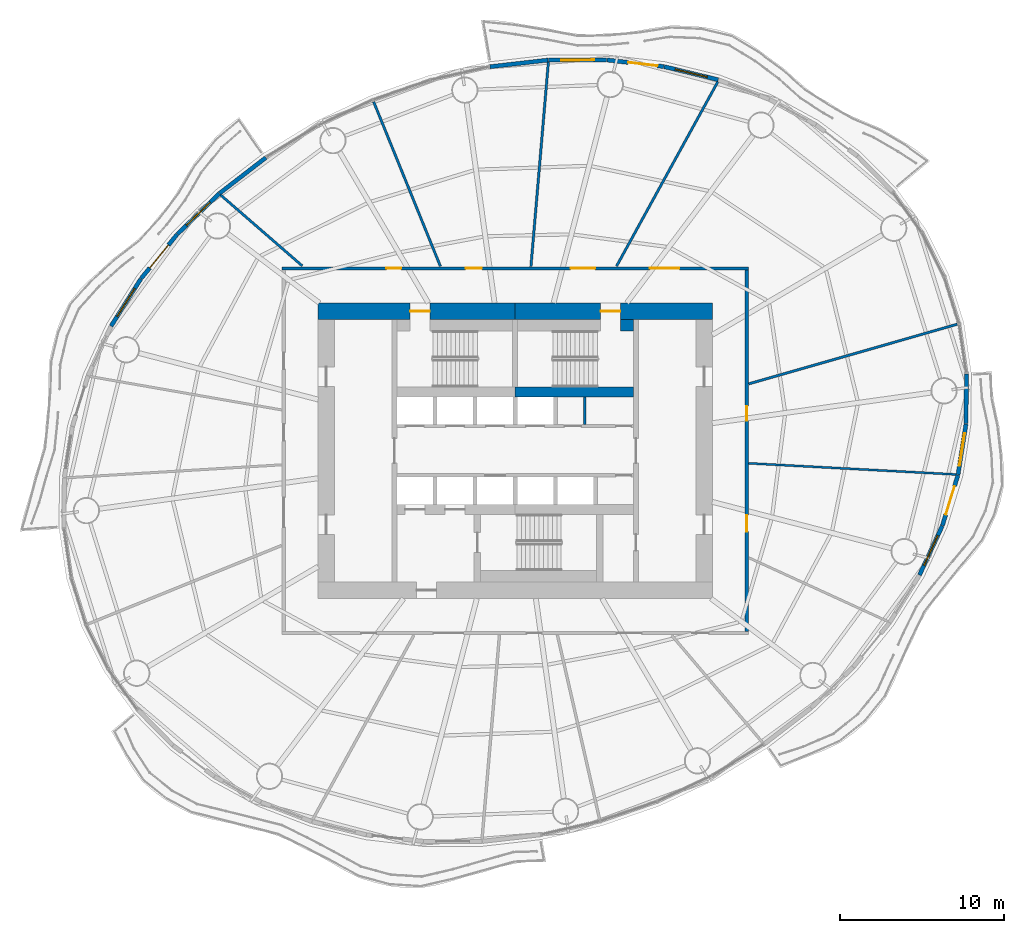
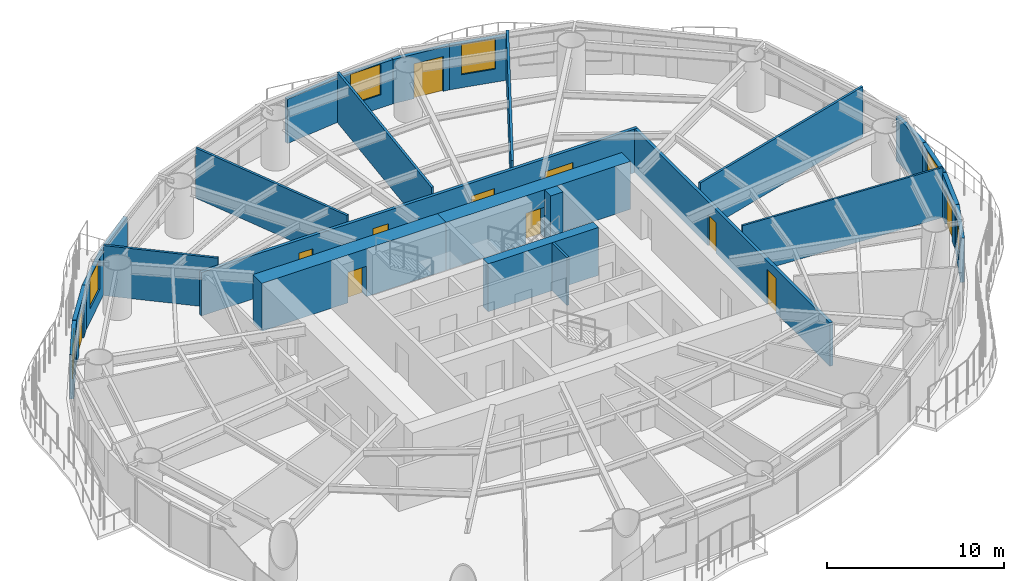
# One storey, part 9 of 15: 25 walls, 11 doors, 6 windows, 17 openings.
"""IFC4 building model written with IfcOpenShell, lengths in metres."""

from ifc_helpers import new_model, si_unit, direction, frame, frame_2d, origin, place, context, subcontext, project, spatial, rectangle, extrude, material, layer, layer_set, type_object, element, fill, save


model = new_model("IFC4")

# Units and contexts
model_context = context("Model", 3, precision=1e-05, world=origin(), true_north=direction((0.0, 1.0)))
body_context = subcontext(model_context, "Body", "Model", "MODEL_VIEW")
ifc_project = project(units=[si_unit("LENGTHUNIT", "METRE"), si_unit("AREAUNIT", "SQUARE_METRE"), si_unit("VOLUMEUNIT", "CUBIC_METRE"), si_unit("PLANEANGLEUNIT", "RADIAN"), si_unit("MASSUNIT", "GRAM", prefix="KILO")], contexts=[model_context])

# Site, building, storey
site_placement = place(None, origin())
site = spatial("IfcSite", under=ifc_project, at=site_placement, CompositionType="ELEMENT")
building_placement = place(site_placement, origin())
building = spatial("IfcBuilding", under=site, at=building_placement, Name="Vermilion Reach Broadcast Tower", CompositionType="ELEMENT")
storey_placement = place(building_placement, frame((0.0, 0.0, 121.0)))
storey = spatial("IfcBuildingStorey", under=building, at=storey_placement, Name="L28", CompositionType="ELEMENT", Elevation=121.0)

# Wall
ifc_material_1 = material(Name="Concrete C70", Category="concrete")
ifc_layer_1 = layer(ifc_material_1, 0.60009765625)
ifc_layer_set_1 = layer_set([ifc_layer_1], Name="Core inner wall 600 mm Concrete C70")
wall_type_1 = type_object("IfcWallType", Name="Core inner wall 600 mm Concrete C70", PredefinedType="SHEAR", material=ifc_layer_set_1)
wall_1_placement = place(storey_placement, frame((-6.0, 3.580078125, 0.0), z_axis=(0.0, 0.0, 1.0), x_axis=(1.0, 0.0, 0.0)))
element("IfcWall", 1, at=wall_1_placement, inside=storey, type_object=wall_type_1, Name="L28 core wall winE", PredefinedType="SHEAR", context=body_context, shape_type="SweptSolid", body=[
    extrude(rectangle(XDim=7.199951171875, YDim=0.60009765625, at=frame_2d((3.60009765625, 0.0))), origin(), (0.0, 0.0, 1.0), 3.300048828125),
])

# Wall, opening, door
ifc_material_2 = material(Name="Concrete C70", Category="concrete")
ifc_layer_2 = layer(ifc_material_2, 1.0)
ifc_layer_set_2 = layer_set([ifc_layer_2], Name="Core outer wall 1000 mm Concrete C70")
wall_type_2 = type_object("IfcWallType", Name="Core outer wall 1000 mm Concrete C70", PredefinedType="SHEAR", material=ifc_layer_set_2)
wall_2_placement = place(storey_placement, frame((6.0, 8.5, 0.0), z_axis=(0.0, 0.0, 1.0), x_axis=(-1.0, 0.0, 0.0)))
wall_2 = element("IfcWall", 2, at=wall_2_placement, inside=storey, type_object=wall_type_2, Name="L28 core wall onE", PredefinedType="SHEAR", context=body_context, shape_type="SweptSolid", body=[
    extrude(rectangle(XDim=12.0, YDim=1.0, at=frame_2d((6.0, 0.0))), origin(), (0.0, 0.0, 1.0), 3.300048828125),
])
opening_1_placement = place(wall_2_placement, frame((5.60009765625, 0.0, 0.0)))
opening_1 = element("IfcOpeningElement", 3, at=opening_1_placement, cuts=wall_2, Name="Opening D01", PredefinedType="OPENING", context=body_context, shape_type="SweptSolid", body=[
    extrude(rectangle(XDim=1.199951171875, YDim=2.10009765625, at=frame_2d((0.60009765625, 1.050048828125))), frame((0.0, 0.510009765625, 0.0), z_axis=(0.0, -1.0, 0.0), x_axis=(1.0, 0.0, 0.0)), (0.0, 0.0, 1.0), 1.02001953125),
])
ifc_material_3 = material(Name="Painted steel fire door", Category="steel")
door_type_1 = type_object("IfcDoorType", Name="Stair door 1200 x 2100", OperationType="DOUBLE_DOOR_SINGLE_SWING", PredefinedType="NOTDEFINED", material=ifc_material_3)
door_1_placement = place(opening_1_placement, origin())
door_1 = element("IfcDoor", 4, at=door_1_placement, inside=storey, type_object=door_type_1, Name="L28 stair door ST2", OperationType="DOUBLE_DOOR_SINGLE_SWING", OverallHeight=2.10009765625, OverallWidth=1.199951171875, PredefinedType="NOTDEFINED", context=body_context, shape_type="SweptSolid", body=[
    extrude(rectangle(XDim=1.199951171875, YDim=2.10009765625, at=frame_2d((0.60009765625, 1.050048828125))), frame((0.0, 0.02490234375, 0.0), z_axis=(0.0, -1.0, 0.0), x_axis=(1.0, 0.0, 0.0)), (0.0, 0.0, 1.0), 0.050048828125),
])
fill(opening_1, door_1)

wall_3_placement = place(storey_placement, frame((-6.0, 8.5, 0.0), z_axis=(0.0, 0.0, 1.0), x_axis=(-1.0, 0.0, 0.0)))
wall_3 = element("IfcWall", 5, at=wall_3_placement, inside=storey, type_object=wall_type_2, Name="L28 core wall onW", PredefinedType="SHEAR", context=body_context, shape_type="SweptSolid", body=[
    extrude(rectangle(XDim=12.0, YDim=1.0, at=frame_2d((6.0, 0.0))), origin(), (0.0, 0.0, 1.0), 3.300048828125),
])
opening_2_placement = place(wall_3_placement, frame((5.199951171875, 0.0, 0.0)))
opening_2 = element("IfcOpeningElement", 6, at=opening_2_placement, cuts=wall_3, Name="Opening D01", PredefinedType="OPENING", context=body_context, shape_type="SweptSolid", body=[
    extrude(rectangle(XDim=1.199951171875, YDim=2.10009765625, at=frame_2d((0.60009765625, 1.050048828125))), frame((0.0, 0.510009765625, 0.0), z_axis=(0.0, -1.0, 0.0), x_axis=(1.0, 0.0, 0.0)), (0.0, 0.0, 1.0), 1.02001953125),
])
door_2_placement = place(opening_2_placement, origin())
door_2 = element("IfcDoor", 7, at=door_2_placement, inside=storey, type_object=door_type_1, Name="L28 stair door ST1", OperationType="DOUBLE_DOOR_SINGLE_SWING", OverallHeight=2.10009765625, OverallWidth=1.199951171875, PredefinedType="NOTDEFINED", context=body_context, shape_type="SweptSolid", body=[
    extrude(rectangle(XDim=1.199951171875, YDim=2.10009765625, at=frame_2d((0.60009765625, 1.050048828125))), frame((0.0, 0.02490234375, 0.0), z_axis=(0.0, -1.0, 0.0), x_axis=(1.0, 0.0, 0.0)), (0.0, 0.0, 1.0), 0.050048828125),
])
fill(opening_2, door_2)

# Walls
ifc_material_4 = material(Name="Masonry block", Category="masonry")
ifc_layer_3 = layer(ifc_material_4, 0.14990234375)
ifc_layer_set_3 = layer_set([ifc_layer_3], Name="Core partition wall 150 mm Masonry block")
wall_type_3 = type_object("IfcWallType", Name="Core partition wall 150 mm Masonry block", PredefinedType="PARTITIONING", material=ifc_layer_set_3)
wall_4_placement = place(storey_placement, frame((-1.765380859375, 1.60009765625, 0.0), z_axis=(0.0, 0.0, 1.0), x_axis=(0.0, 1.0, 0.0)))
element("IfcWall", 8, at=wall_4_placement, inside=storey, type_object=wall_type_3, Name="L28 core wall prN4235", PredefinedType="PARTITIONING", context=body_context, shape_type="SweptSolid", body=[
    extrude(rectangle(XDim=1.679931640625, YDim=0.14990234375, at=frame_2d((0.83984375, 0.0))), origin(), (0.0, 0.0, 1.0), 3.300048828125),
])
ifc_material_5 = material(Name="Concrete C70", Category="concrete")
ifc_layer_4 = layer(ifc_material_5, 0.699951171875)
ifc_layer_set_4 = layer_set([ifc_layer_4], Name="Core stair wall 700 mm Concrete C70")
wall_type_4 = type_object("IfcWallType", Name="Core stair wall 700 mm Concrete C70", PredefinedType="SHEAR", material=ifc_layer_set_4)
wall_5_placement = place(storey_placement, frame((0.39990234375, 7.64990234375, 0.0), z_axis=(0.0, 0.0, 1.0), x_axis=(1.0, 0.0, 0.0)))
element("IfcWall", 9, at=wall_5_placement, inside=storey, type_object=wall_type_4, Name="L28 core wall l2b", PredefinedType="SHEAR", context=body_context, shape_type="SweptSolid", body=[
    extrude(rectangle(XDim=0.800048828125, YDim=0.699951171875, at=frame_2d((0.39990234375, 0.0))), origin(), (0.0, 0.0, 1.0), 3.300048828125),
])
ifc_material_6 = material(Name="Fire-rated plasterboard on steel stud", Category="steel")
ifc_layer_5 = layer(ifc_material_6, 0.125)
ifc_layer_set_5 = layer_set([ifc_layer_5], Name="Partition 125 fire-rated stud")
wall_type_5 = type_object("IfcWallType", Name="Partition 125 fire-rated stud", PredefinedType="PARTITIONING", material=ifc_layer_set_5)
wall_6_placement = place(storey_placement, frame((20.836181640625, -1.446044921875, 0.0), z_axis=(0.0, 0.0, 1.0), x_axis=(-0.998551591067, 0.053802601961, 0.0)))
element("IfcWall", 10, at=wall_6_placement, inside=storey, type_object=wall_type_5, Name="Partition 28.13", PredefinedType="PARTITIONING", context=body_context, shape_type="SweptSolid", body=[
    extrude(rectangle(XDim=12.651123046875, YDim=0.125, at=frame_2d((6.32568359375, 0.0))), origin(), (0.0, 0.0, 1.0), 3.449951171875),
])
ifc_material_7 = material(Name="Lightweight concrete block, plastered", Category="concrete")
ifc_layer_6 = layer(ifc_material_7, 0.14990234375)
ifc_layer_set_6 = layer_set([ifc_layer_6], Name="Partition 150 lightweight block")
wall_type_6 = type_object("IfcWallType", Name="Partition 150 lightweight block", PredefinedType="PARTITIONING", material=ifc_layer_set_6)
wall_7_placement = place(storey_placement, frame((6.3359375, 22.463134765625, 0.0), z_axis=(0.0, 0.0, 1.0), x_axis=(-0.481358172348, -0.876523992777, 0.0)))
element("IfcWall", 11, at=wall_7_placement, inside=storey, type_object=wall_type_6, Name="Partition 28.01", PredefinedType="PARTITIONING", context=body_context, shape_type="SweptSolid", body=[
    extrude(rectangle(XDim=12.80859375, YDim=0.14990234375, at=frame_2d((6.404296875, 0.0))), origin(), (0.0, 0.0, 1.0), 3.449951171875),
])
wall_8_placement = place(storey_placement, frame((-3.97998046875, 23.659912109375, 0.0), z_axis=(0.0, 0.0, 1.0), x_axis=(-0.085065958211, -0.996375322232, 0.0)))
element("IfcWall", 12, at=wall_8_placement, inside=storey, type_object=wall_type_6, Name="Partition 28.02", PredefinedType="PARTITIONING", context=body_context, shape_type="SweptSolid", body=[
    extrude(rectangle(XDim=12.4990234375, YDim=0.14990234375, at=frame_2d((6.24951171875, 0.0))), origin(), (0.0, 0.0, 1.0), 3.449951171875),
])
wall_9_placement = place(storey_placement, frame((-14.61572265625, 21.239013671875, 0.0), z_axis=(0.0, 0.0, 1.0), x_axis=(0.375913878844, -0.926654604312, 0.0)))
element("IfcWall", 13, at=wall_9_placement, inside=storey, type_object=wall_type_6, Name="Partition 28.03", PredefinedType="PARTITIONING", context=body_context, shape_type="SweptSolid", body=[
    extrude(rectangle(XDim=10.802978515625, YDim=0.14990234375, at=frame_2d((5.4013671875, 0.0))), origin(), (0.0, 0.0, 1.0), 3.449951171875),
])
wall_10_placement = place(storey_placement, frame((-23.93212890625, 15.56640625, 0.0), z_axis=(0.0, 0.0, 1.0), x_axis=(0.755165660984, -0.655533999477, 0.0)))
element("IfcWall", 14, at=wall_10_placement, inside=storey, type_object=wall_type_6, Name="Partition 28.04", PredefinedType="PARTITIONING", context=body_context, shape_type="SweptSolid", body=[
    extrude(rectangle(XDim=6.574462890625, YDim=0.14990234375, at=frame_2d((3.287109375, 0.0))), origin(), (0.0, 0.0, 1.0), 3.449951171875),
])
wall_11_placement = place(storey_placement, frame((20.90478515625, 7.698486328125, 0.0), z_axis=(0.0, 0.0, 1.0), x_axis=(-0.961416334636, -0.275097494528, 0.0)))
element("IfcWall", 15, at=wall_11_placement, inside=storey, type_object=wall_type_6, Name="Partition 28.14", PredefinedType="PARTITIONING", context=body_context, shape_type="SweptSolid", body=[
    extrude(rectangle(XDim=13.193115234375, YDim=0.14990234375, at=frame_2d((6.5966796875, 0.0))), origin(), (0.0, 0.0, 1.0), 3.449951171875),
])

# Wall, opening, window
ifc_material_8 = material(Name="Terracotta rainscreen cladding", Category="masonry")
ifc_layer_7 = layer(ifc_material_8, 0.25)
ifc_layer_set_7 = layer_set([ifc_layer_7], Name="Terracotta rainscreen wall 250")
wall_type_7 = type_object("IfcWallType", Name="Terracotta rainscreen wall 250", PredefinedType="SOLIDWALL", material=ifc_layer_set_7)
wall_12_placement = place(storey_placement, frame((6.361328125, 22.58544921875, 0.0), z_axis=(0.0, 0.0, 1.0), x_axis=(-0.971871596081, 0.235511360088, 0.0)))
wall_12 = element("IfcWall", 16, at=wall_12_placement, inside=storey, type_object=wall_type_7, Name="External wall L28 06", PredefinedType="SOLIDWALL", context=body_context, shape_type="SweptSolid", body=[
    extrude(rectangle(XDim=3.388671875, YDim=0.25, at=frame_2d((1.6943359375, 0.0))), origin(), (0.0, 0.0, 1.0), 3.050048828125),
])
opening_3_placement = place(wall_12_placement, frame((0.694580078125, 0.0, 0.89990234375)))
opening_3 = element("IfcOpeningElement", 17, at=opening_3_placement, cuts=wall_12, Name="Opening W03", PredefinedType="OPENING", context=body_context, shape_type="SweptSolid", body=[
    extrude(rectangle(XDim=2.0, YDim=2.10009765625, at=frame_2d((1.0, 1.050048828125))), frame((0.0, 0.135009765625, 0.0), z_axis=(0.0, -1.0, 0.0), x_axis=(1.0, 0.0, 0.0)), (0.0, 0.0, 1.0), 0.27001953125),
])
ifc_material_9 = material(Name="Low-e laminated clear glass in aluminium frame", Category="aluminium")
window_type = type_object("IfcWindowType", Name="Punched window 2000 x 2100 sill 900", PartitioningType="SINGLE_PANEL", PredefinedType="WINDOW", material=ifc_material_9)
window_1_placement = place(opening_3_placement, origin())
window_1 = element("IfcWindow", 18, at=window_1_placement, inside=storey, type_object=window_type, Name="Window L28 06", OverallHeight=2.10009765625, OverallWidth=2.0, PartitioningType="SINGLE_PANEL", PredefinedType="WINDOW", context=body_context, shape_type="SweptSolid", body=[
    extrude(rectangle(XDim=2.0, YDim=2.10009765625, at=frame_2d((1.0, 1.050048828125))), frame((0.0, 0.030029296875, 0.0), z_axis=(0.0, -1.0, 0.0), x_axis=(1.0, 0.0, 0.0)), (0.0, 0.0, 1.0), 0.06005859375),
])
fill(opening_3, window_1)

# Wall, opening, door
wall_13_placement = place(storey_placement, frame((3.044921875, 23.3876953125, 0.0), z_axis=(0.0, 0.0, 1.0), x_axis=(-0.993327429038, 0.115328308409, 0.0)))
wall_13 = element("IfcWall", 19, at=wall_13_placement, inside=storey, type_object=wall_type_7, Name="External wall L28 07", PredefinedType="SOLIDWALL", context=body_context, shape_type="SweptSolid", body=[
    extrude(rectangle(XDim=3.473876953125, YDim=0.25, at=frame_2d((1.73681640625, 0.0))), origin(), (0.0, 0.0, 1.0), 3.050048828125),
])
opening_4_placement = place(wall_13_placement, frame((0.386962890625, 0.0, 0.0)))
opening_4 = element("IfcOpeningElement", 20, at=opening_4_placement, cuts=wall_13, Name="Opening D70", PredefinedType="OPENING", context=body_context, shape_type="SweptSolid", body=[
    extrude(rectangle(XDim=1.800048828125, YDim=2.39990234375, at=frame_2d((0.89990234375, 1.199951171875))), frame((0.0, 0.135009765625, 0.0), z_axis=(0.0, -1.0, 0.0), x_axis=(1.0, 0.0, 0.0)), (0.0, 0.0, 1.0), 0.27001953125),
])
ifc_material_10 = material(Name="Low-e laminated clear glass in aluminium frame", Category="aluminium")
door_type_2 = type_object("IfcDoorType", Name="Balcony sliding door 1800 x 2400", OperationType="DOUBLE_DOOR_SLIDING", PredefinedType="DOOR", material=ifc_material_10)
door_3_placement = place(opening_4_placement, origin())
door_3 = element("IfcDoor", 21, at=door_3_placement, inside=storey, type_object=door_type_2, Name="Balcony door L28 run 02", OperationType="DOUBLE_DOOR_SLIDING", OverallHeight=2.39990234375, OverallWidth=1.800048828125, PredefinedType="DOOR", context=body_context, shape_type="SweptSolid", body=[
    extrude(rectangle(XDim=1.800048828125, YDim=2.39990234375, at=frame_2d((0.89990234375, 1.199951171875))), frame((0.0, 0.02490234375, 0.0), z_axis=(0.0, -1.0, 0.0), x_axis=(1.0, 0.0, 0.0)), (0.0, 0.0, 1.0), 0.050048828125),
])
fill(opening_4, door_3)

# Wall, opening, window
wall_14_placement = place(storey_placement, frame((-0.42822265625, 23.78955078125, 0.0), z_axis=(0.0, 0.0, 1.0), x_axis=(-0.999999145394, -0.001307368318, 0.0)))
wall_14 = element("IfcWall", 22, at=wall_14_placement, inside=storey, type_object=wall_type_7, Name="External wall L28 08", PredefinedType="SOLIDWALL", context=body_context, shape_type="SweptSolid", body=[
    extrude(rectangle(XDim=3.548095703125, YDim=0.25, at=frame_2d((1.77392578125, 0.0))), origin(), (0.0, 0.0, 1.0), 3.050048828125),
])
opening_5_placement = place(wall_14_placement, frame((0.77392578125, 0.0, 0.89990234375)))
opening_5 = element("IfcOpeningElement", 23, at=opening_5_placement, cuts=wall_14, Name="Opening W03", PredefinedType="OPENING", context=body_context, shape_type="SweptSolid", body=[
    extrude(rectangle(XDim=2.0, YDim=2.10009765625, at=frame_2d((1.0, 1.050048828125))), frame((0.0, 0.135009765625, 0.0), z_axis=(0.0, -1.0, 0.0), x_axis=(1.0, 0.0, 0.0)), (0.0, 0.0, 1.0), 0.27001953125),
])
window_2_placement = place(opening_5_placement, origin())
window_2 = element("IfcWindow", 24, at=window_2_placement, inside=storey, type_object=window_type, Name="Window L28 08", OverallHeight=2.10009765625, OverallWidth=2.0, PartitioningType="SINGLE_PANEL", PredefinedType="WINDOW", context=body_context, shape_type="SweptSolid", body=[
    extrude(rectangle(XDim=2.0, YDim=2.10009765625, at=frame_2d((1.0, 1.050048828125))), frame((0.0, 0.030029296875, 0.0), z_axis=(0.0, -1.0, 0.0), x_axis=(1.0, 0.0, 0.0)), (0.0, 0.0, 1.0), 0.06005859375),
])
fill(opening_5, window_2)

# Walls
wall_15_placement = place(storey_placement, frame((-3.998291015625, 23.783447265625, 0.0), z_axis=(0.0, 0.0, 1.0), x_axis=(-0.993503711569, -0.113799714842, 0.0)))
element("IfcWall", 25, at=wall_15_placement, inside=storey, type_object=wall_type_7, Name="External wall L28 09", PredefinedType="SOLIDWALL", context=body_context, shape_type="SweptSolid", body=[
    extrude(rectangle(XDim=3.5634765625, YDim=0.25, at=frame_2d((1.78173828125, 0.0))), origin(), (0.0, 0.0, 1.0), 3.050048828125),
])
wall_16_placement = place(storey_placement, frame((-21.182861328125, 17.843017578125, 0.0), z_axis=(0.0, 0.0, 1.0), x_axis=(-0.792037804, -0.610472044433, 0.0)))
element("IfcWall", 26, at=wall_16_placement, inside=storey, type_object=wall_type_7, Name="External wall L28 14", PredefinedType="SOLIDWALL", context=body_context, shape_type="SweptSolid", body=[
    extrude(rectangle(XDim=3.563232421875, YDim=0.25, at=frame_2d((1.78173828125, 0.0))), origin(), (0.0, 0.0, 1.0), 3.050048828125),
])

# Wall, opening, window
wall_17_placement = place(storey_placement, frame((-24.021728515625, 15.6533203125, 0.0), z_axis=(0.0, 0.0, 1.0), x_axis=(-0.718334776763, -0.695697598453, 0.0)))
wall_17 = element("IfcWall", 27, at=wall_17_placement, inside=storey, type_object=wall_type_7, Name="External wall L28 15", PredefinedType="SOLIDWALL", context=body_context, shape_type="SweptSolid", body=[
    extrude(rectangle(XDim=3.54833984375, YDim=0.25, at=frame_2d((1.774169921875, 0.0))), origin(), (0.0, 0.0, 1.0), 3.050048828125),
])
opening_6_placement = place(wall_17_placement, frame((0.77392578125, 0.0, 0.89990234375)))
opening_6 = element("IfcOpeningElement", 28, at=opening_6_placement, cuts=wall_17, Name="Opening W03", PredefinedType="OPENING", context=body_context, shape_type="SweptSolid", body=[
    extrude(rectangle(XDim=2.0, YDim=2.10009765625, at=frame_2d((1.0, 1.050048828125))), frame((0.0, 0.135009765625, 0.0), z_axis=(0.0, -1.0, 0.0), x_axis=(1.0, 0.0, 0.0)), (0.0, 0.0, 1.0), 0.27001953125),
])
window_3_placement = place(opening_6_placement, origin())
window_3 = element("IfcWindow", 29, at=window_3_placement, inside=storey, type_object=window_type, Name="Window L28 15", OverallHeight=2.10009765625, OverallWidth=2.0, PartitioningType="SINGLE_PANEL", PredefinedType="WINDOW", context=body_context, shape_type="SweptSolid", body=[
    extrude(rectangle(XDim=2.0, YDim=2.10009765625, at=frame_2d((1.0, 1.050048828125))), frame((0.0, 0.030029296875, 0.0), z_axis=(0.0, -1.0, 0.0), x_axis=(1.0, 0.0, 0.0)), (0.0, 0.0, 1.0), 0.06005859375),
])
fill(opening_6, window_3)

# Wall, opening, door
wall_18_placement = place(storey_placement, frame((-26.585693359375, 13.168212890625, 0.0), z_axis=(0.0, 0.0, 1.0), x_axis=(-0.632318819386, -0.774708274546, 0.0)))
wall_18 = element("IfcWall", 30, at=wall_18_placement, inside=storey, type_object=wall_type_7, Name="External wall L28 16", PredefinedType="SOLIDWALL", context=body_context, shape_type="SweptSolid", body=[
    extrude(rectangle(XDim=3.473876953125, YDim=0.25, at=frame_2d((1.73681640625, 0.0))), origin(), (0.0, 0.0, 1.0), 3.050048828125),
])
opening_7_placement = place(wall_18_placement, frame((0.8369140625, 0.0, 0.0)))
opening_7 = element("IfcOpeningElement", 31, at=opening_7_placement, cuts=wall_18, Name="Opening D70", PredefinedType="OPENING", context=body_context, shape_type="SweptSolid", body=[
    extrude(rectangle(XDim=1.800048828125, YDim=2.39990234375, at=frame_2d((0.89990234375, 1.199951171875))), frame((0.0, 0.135009765625, 0.0), z_axis=(0.0, -1.0, 0.0), x_axis=(1.0, 0.0, 0.0)), (0.0, 0.0, 1.0), 0.27001953125),
])
door_4_placement = place(opening_7_placement, origin())
door_4 = element("IfcDoor", 32, at=door_4_placement, inside=storey, type_object=door_type_2, Name="Balcony door L28 run 04", OperationType="DOUBLE_DOOR_SLIDING", OverallHeight=2.39990234375, OverallWidth=1.800048828125, PredefinedType="DOOR", context=body_context, shape_type="SweptSolid", body=[
    extrude(rectangle(XDim=1.800048828125, YDim=2.39990234375, at=frame_2d((0.89990234375, 1.199951171875))), frame((0.0, 0.02490234375, 0.0), z_axis=(0.0, -1.0, 0.0), x_axis=(1.0, 0.0, 0.0)), (0.0, 0.0, 1.0), 0.050048828125),
])
fill(opening_7, door_4)

# Wall, opening, window
wall_19_placement = place(storey_placement, frame((-28.795654296875, 10.4580078125, 0.0), z_axis=(0.0, 0.0, 1.0), x_axis=(-0.533187726109, -0.845996955506, 0.0)))
wall_19 = element("IfcWall", 33, at=wall_19_placement, inside=storey, type_object=wall_type_7, Name="External wall L28 17", PredefinedType="SOLIDWALL", context=body_context, shape_type="SweptSolid", body=[
    extrude(rectangle(XDim=3.388916015625, YDim=0.25, at=frame_2d((1.6943359375, 0.0))), origin(), (0.0, 0.0, 1.0), 3.050048828125),
])
opening_8_placement = place(wall_19_placement, frame((0.694580078125, 0.0, 0.89990234375)))
opening_8 = element("IfcOpeningElement", 34, at=opening_8_placement, cuts=wall_19, Name="Opening W03", PredefinedType="OPENING", context=body_context, shape_type="SweptSolid", body=[
    extrude(rectangle(XDim=2.0, YDim=2.10009765625, at=frame_2d((1.0, 1.050048828125))), frame((0.0, 0.135009765625, 0.0), z_axis=(0.0, -1.0, 0.0), x_axis=(1.0, 0.0, 0.0)), (0.0, 0.0, 1.0), 0.27001953125),
])
window_4_placement = place(opening_8_placement, origin())
window_4 = element("IfcWindow", 35, at=window_4_placement, inside=storey, type_object=window_type, Name="Window L28 17", OverallHeight=2.10009765625, OverallWidth=2.0, PartitioningType="SINGLE_PANEL", PredefinedType="WINDOW", context=body_context, shape_type="SweptSolid", body=[
    extrude(rectangle(XDim=2.0, YDim=2.10009765625, at=frame_2d((1.0, 1.050048828125))), frame((0.0, 0.030029296875, 0.0), z_axis=(0.0, -1.0, 0.0), x_axis=(1.0, 0.0, 0.0)), (0.0, 0.0, 1.0), 0.06005859375),
])
fill(opening_8, window_4)

wall_20_placement = place(storey_placement, frame((18.614013671875, -7.56982421875, 0.0), z_axis=(0.0, 0.0, 1.0), x_axis=(0.420461012784, 0.907310606534, 0.0)))
wall_20 = element("IfcWall", 36, at=wall_20_placement, inside=storey, type_object=wall_type_7, Name="External wall L28 42", PredefinedType="SOLIDWALL", context=body_context, shape_type="SweptSolid", body=[
    extrude(rectangle(XDim=3.298583984375, YDim=0.25, at=frame_2d((1.6494140625, 0.0))), origin(), (0.0, 0.0, 1.0), 3.050048828125),
])
opening_9_placement = place(wall_20_placement, frame((0.6494140625, 0.0, 0.89990234375)))
opening_9 = element("IfcOpeningElement", 37, at=opening_9_placement, cuts=wall_20, Name="Opening W03", PredefinedType="OPENING", context=body_context, shape_type="SweptSolid", body=[
    extrude(rectangle(XDim=2.0, YDim=2.10009765625, at=frame_2d((1.0, 1.050048828125))), frame((0.0, 0.135009765625, 0.0), z_axis=(0.0, -1.0, 0.0), x_axis=(1.0, 0.0, 0.0)), (0.0, 0.0, 1.0), 0.27001953125),
])
window_5_placement = place(opening_9_placement, origin())
window_5 = element("IfcWindow", 38, at=window_5_placement, inside=storey, type_object=window_type, Name="Window L28 42", OverallHeight=2.10009765625, OverallWidth=2.0, PartitioningType="SINGLE_PANEL", PredefinedType="WINDOW", context=body_context, shape_type="SweptSolid", body=[
    extrude(rectangle(XDim=2.0, YDim=2.10009765625, at=frame_2d((1.0, 1.050048828125))), frame((0.0, 0.030029296875, 0.0), z_axis=(0.0, -1.0, 0.0), x_axis=(1.0, 0.0, 0.0)), (0.0, 0.0, 1.0), 0.06005859375),
])
fill(opening_9, window_5)

# Wall, opening, door
wall_21_placement = place(storey_placement, frame((20.009765625, -4.5537109375, 0.0), z_axis=(0.0, 0.0, 1.0), x_axis=(0.294326394651, 0.955704961488, 0.0)))
wall_21 = element("IfcWall", 39, at=wall_21_placement, inside=storey, type_object=wall_type_7, Name="External wall L28 43", PredefinedType="SOLIDWALL", context=body_context, shape_type="SweptSolid", body=[
    extrude(rectangle(XDim=3.209228515625, YDim=0.25, at=frame_2d((1.6044921875, 0.0))), origin(), (0.0, 0.0, 1.0), 3.050048828125),
])
opening_10_placement = place(wall_21_placement, frame((0.705078125, 0.0, 0.0)))
opening_10 = element("IfcOpeningElement", 40, at=opening_10_placement, cuts=wall_21, Name="Opening D70", PredefinedType="OPENING", context=body_context, shape_type="SweptSolid", body=[
    extrude(rectangle(XDim=1.800048828125, YDim=2.39990234375, at=frame_2d((0.89990234375, 1.199951171875))), frame((0.0, 0.135009765625, 0.0), z_axis=(0.0, -1.0, 0.0), x_axis=(1.0, 0.0, 0.0)), (0.0, 0.0, 1.0), 0.27001953125),
])
door_5_placement = place(opening_10_placement, origin())
door_5 = element("IfcDoor", 41, at=door_5_placement, inside=storey, type_object=door_type_2, Name="Balcony door L28 run 11", OperationType="DOUBLE_DOOR_SLIDING", OverallHeight=2.39990234375, OverallWidth=1.800048828125, PredefinedType="DOOR", context=body_context, shape_type="SweptSolid", body=[
    extrude(rectangle(XDim=1.800048828125, YDim=2.39990234375, at=frame_2d((0.89990234375, 1.199951171875))), frame((0.0, 0.02490234375, 0.0), z_axis=(0.0, -1.0, 0.0), x_axis=(1.0, 0.0, 0.0)), (0.0, 0.0, 1.0), 0.050048828125),
])
fill(opening_10, door_5)

# Wall, opening, window
wall_22_placement = place(storey_placement, frame((20.9599609375, -1.46142578125, 0.0), z_axis=(0.0, 0.0, 1.0), x_axis=(0.155782128251, 0.987791439788, 0.0)))
wall_22 = element("IfcWall", 42, at=wall_22_placement, inside=storey, type_object=wall_type_7, Name="External wall L28 44", PredefinedType="SOLIDWALL", context=body_context, shape_type="SweptSolid", body=[
    extrude(rectangle(XDim=3.12646484375, YDim=0.25, at=frame_2d((1.563232421875, 0.0))), origin(), (0.0, 0.0, 1.0), 3.050048828125),
])
opening_11_placement = place(wall_22_placement, frame((0.563232421875, 0.0, 0.89990234375)))
opening_11 = element("IfcOpeningElement", 43, at=opening_11_placement, cuts=wall_22, Name="Opening W03", PredefinedType="OPENING", context=body_context, shape_type="SweptSolid", body=[
    extrude(rectangle(XDim=2.0, YDim=2.10009765625, at=frame_2d((1.0, 1.050048828125))), frame((0.0, 0.135009765625, 0.0), z_axis=(0.0, -1.0, 0.0), x_axis=(1.0, 0.0, 0.0)), (0.0, 0.0, 1.0), 0.27001953125),
])
window_6_placement = place(opening_11_placement, origin())
window_6 = element("IfcWindow", 44, at=window_6_placement, inside=storey, type_object=window_type, Name="Window L28 44", OverallHeight=2.10009765625, OverallWidth=2.0, PartitioningType="SINGLE_PANEL", PredefinedType="WINDOW", context=body_context, shape_type="SweptSolid", body=[
    extrude(rectangle(XDim=2.0, YDim=2.10009765625, at=frame_2d((1.0, 1.050048828125))), frame((0.0, 0.030029296875, 0.0), z_axis=(0.0, -1.0, 0.0), x_axis=(1.0, 0.0, 0.0)), (0.0, 0.0, 1.0), 0.06005859375),
])
fill(opening_11, window_6)

# Wall
wall_23_placement = place(storey_placement, frame((21.44921875, 1.6533203125, 0.0), z_axis=(0.0, 0.0, 1.0), x_axis=(0.007366431712, 0.999972867474, 0.0)))
element("IfcWall", 45, at=wall_23_placement, inside=storey, type_object=wall_type_7, Name="External wall L28 45", PredefinedType="SOLIDWALL", context=body_context, shape_type="SweptSolid", body=[
    extrude(rectangle(XDim=3.015869140625, YDim=0.25, at=frame_2d((1.5078125, 0.0))), origin(), (0.0, 0.0, 1.0), 3.050048828125),
])

# Wall, openings, doors
ifc_material_11 = material(Name="Fire-rated gypsum board partition")
ifc_layer_8 = layer(ifc_material_11, 0.199951171875)
ifc_layer_set_8 = layer_set([ifc_layer_8], Name="Under girder: Corridor wall 200 fire-rated")
wall_type_8 = type_object("IfcWallType", Name="Under girder: Corridor wall 200 fire-rated", PredefinedType="PARTITIONING", material=ifc_layer_set_8)
wall_24_placement = place(storey_placement, frame((-20.199951171875, 11.10009765625, 0.0), z_axis=(0.0, 0.0, 1.0), x_axis=(1.0, 0.0, 0.0)))
wall_24 = element("IfcWall", 46, at=wall_24_placement, inside=storey, type_object=wall_type_8, Name="Corridor wall 28.N", PredefinedType="PARTITIONING", context=body_context, shape_type="SweptSolid", body=[
    extrude(rectangle(XDim=28.39990234375, YDim=0.199951171875, at=frame_2d((14.199951171875, 0.0))), origin(), (0.0, 0.0, 1.0), 3.0),
])
opening_12_placement = place(wall_24_placement, frame((17.572265625, 0.0, 0.0)))
opening_12 = element("IfcOpeningElement", 47, at=opening_12_placement, cuts=wall_24, Name="Opening D24", PredefinedType="OPENING", context=body_context, shape_type="SweptSolid", body=[
    extrude(rectangle(XDim=1.5, YDim=2.10009765625, at=frame_2d((0.75, 1.050048828125))), frame((0.0, 0.10986328125, 0.0), z_axis=(0.0, -1.0, 0.0), x_axis=(1.0, 0.0, 0.0)), (0.0, 0.0, 1.0), 0.219970703125),
])
opening_13_placement = place(wall_24_placement, frame((11.176513671875, 0.0, 0.0)))
opening_13 = element("IfcOpeningElement", 48, at=opening_13_placement, cuts=wall_24, Name="Opening D20", PredefinedType="OPENING", context=body_context, shape_type="SweptSolid", body=[
    extrude(rectangle(XDim=1.0, YDim=2.10009765625, at=frame_2d((0.5, 1.050048828125))), frame((0.0, 0.10986328125, 0.0), z_axis=(0.0, -1.0, 0.0), x_axis=(1.0, 0.0, 0.0)), (0.0, 0.0, 1.0), 0.219970703125),
])
opening_14_placement = place(wall_24_placement, frame((6.34912109375, 0.0, 0.0)))
opening_14 = element("IfcOpeningElement", 49, at=opening_14_placement, cuts=wall_24, Name="Opening D22", PredefinedType="OPENING", context=body_context, shape_type="SweptSolid", body=[
    extrude(rectangle(XDim=0.89990234375, YDim=2.10009765625, at=frame_2d((0.449951171875, 1.050048828125))), frame((0.0, 0.10986328125, 0.0), z_axis=(0.0, -1.0, 0.0), x_axis=(1.0, 0.0, 0.0)), (0.0, 0.0, 1.0), 0.219970703125),
])
opening_15_placement = place(wall_24_placement, frame((22.3955078125, 0.0, 0.0)))
opening_15 = element("IfcOpeningElement", 50, at=opening_15_placement, cuts=wall_24, Name="Opening D21", PredefinedType="OPENING", context=body_context, shape_type="SweptSolid", body=[
    extrude(rectangle(XDim=1.800048828125, YDim=2.10009765625, at=frame_2d((0.89990234375, 1.050048828125))), frame((0.0, 0.10986328125, 0.0), z_axis=(0.0, -1.0, 0.0), x_axis=(1.0, 0.0, 0.0)), (0.0, 0.0, 1.0), 0.219970703125),
])
ifc_material_12 = material(Name="Timber door leaf", Category="wood")
door_type_3 = type_object("IfcDoorType", Name="Door pair 1500x2100", OperationType="NOTDEFINED", PredefinedType="DOOR", material=ifc_material_12)
door_6_placement = place(opening_12_placement, origin())
door_6 = element("IfcDoor", 51, at=door_6_placement, inside=storey, type_object=door_type_3, Name="Door 28.01", OperationType="DOUBLE_DOOR_SINGLE_SWING", OverallHeight=2.10009765625, OverallWidth=1.5, PredefinedType="DOOR", context=body_context, shape_type="SweptSolid", body=[
    extrude(rectangle(XDim=1.5, YDim=2.10009765625, at=frame_2d((0.75, 1.050048828125))), frame((0.0, 0.02490234375, 0.0), z_axis=(0.0, -1.0, 0.0), x_axis=(1.0, 0.0, 0.0)), (0.0, 0.0, 1.0), 0.050048828125),
])
fill(opening_12, door_6)
ifc_material_13 = material(Name="Timber door leaf", Category="wood")
door_type_4 = type_object("IfcDoorType", Name="Door pair 1800x2100", OperationType="NOTDEFINED", PredefinedType="DOOR", material=ifc_material_13)
door_7_placement = place(opening_15_placement, origin())
door_7 = element("IfcDoor", 52, at=door_7_placement, inside=storey, type_object=door_type_4, Name="Door 28.14", OperationType="DOUBLE_DOOR_SINGLE_SWING", OverallHeight=2.10009765625, OverallWidth=1.800048828125, PredefinedType="DOOR", context=body_context, shape_type="SweptSolid", body=[
    extrude(rectangle(XDim=1.800048828125, YDim=2.10009765625, at=frame_2d((0.89990234375, 1.050048828125))), frame((0.0, 0.02490234375, 0.0), z_axis=(0.0, -1.0, 0.0), x_axis=(1.0, 0.0, 0.0)), (0.0, 0.0, 1.0), 0.050048828125),
])
fill(opening_15, door_7)
ifc_material_14 = material(Name="Timber door leaf", Category="wood")
door_type_5 = type_object("IfcDoorType", Name="Door single 1000x2100", OperationType="NOTDEFINED", PredefinedType="DOOR", material=ifc_material_14)
door_8_placement = place(opening_13_placement, origin())
door_8 = element("IfcDoor", 53, at=door_8_placement, inside=storey, type_object=door_type_5, Name="Door 28.02", OperationType="SINGLE_SWING_LEFT", OverallHeight=2.10009765625, OverallWidth=1.0, PredefinedType="DOOR", context=body_context, shape_type="SweptSolid", body=[
    extrude(rectangle(XDim=1.0, YDim=2.10009765625, at=frame_2d((0.5, 1.050048828125))), frame((0.0, 0.02490234375, 0.0), z_axis=(0.0, -1.0, 0.0), x_axis=(1.0, 0.0, 0.0)), (0.0, 0.0, 1.0), 0.050048828125),
])
fill(opening_13, door_8)
ifc_material_15 = material(Name="Timber door leaf", Category="wood")
door_type_6 = type_object("IfcDoorType", Name="Door single 900x2100", OperationType="NOTDEFINED", PredefinedType="DOOR", material=ifc_material_15)
door_9_placement = place(opening_14_placement, origin())
door_9 = element("IfcDoor", 54, at=door_9_placement, inside=storey, type_object=door_type_6, Name="Door 28.03", OperationType="SINGLE_SWING_RIGHT", OverallHeight=2.10009765625, OverallWidth=0.89990234375, PredefinedType="DOOR", context=body_context, shape_type="SweptSolid", body=[
    extrude(rectangle(XDim=0.89990234375, YDim=2.10009765625, at=frame_2d((0.449951171875, 1.050048828125))), frame((0.0, 0.02490234375, 0.0), z_axis=(0.0, -1.0, 0.0), x_axis=(1.0, 0.0, 0.0)), (0.0, 0.0, 1.0), 0.050048828125),
])
fill(opening_14, door_9)

wall_25_placement = place(storey_placement, frame((8.10009765625, 11.0, 0.0), z_axis=(0.0, 0.0, 1.0), x_axis=(0.0, -1.0, 0.0)))
wall_25 = element("IfcWall", 55, at=wall_25_placement, inside=storey, type_object=wall_type_8, Name="Corridor wall 28.E", PredefinedType="PARTITIONING", context=body_context, shape_type="SweptSolid", body=[
    extrude(rectangle(XDim=22.0, YDim=0.199951171875, at=frame_2d((11.0, 0.0))), origin(), (0.0, 0.0, 1.0), 3.0),
])
opening_16_placement = place(wall_25_placement, frame((14.918701171875, 0.0, 0.0)))
opening_16 = element("IfcOpeningElement", 56, at=opening_16_placement, cuts=wall_25, Name="Opening D23", PredefinedType="OPENING", context=body_context, shape_type="SweptSolid", body=[
    extrude(rectangle(XDim=1.0, YDim=2.39990234375, at=frame_2d((0.5, 1.199951171875))), frame((0.0, 0.10986328125, 0.0), z_axis=(0.0, -1.0, 0.0), x_axis=(1.0, 0.0, 0.0)), (0.0, 0.0, 1.0), 0.219970703125),
])
opening_17_placement = place(wall_25_placement, frame((8.285400390625, 0.0, 0.0)))
opening_17 = element("IfcOpeningElement", 57, at=opening_17_placement, cuts=wall_25, Name="Opening D22", PredefinedType="OPENING", context=body_context, shape_type="SweptSolid", body=[
    extrude(rectangle(XDim=0.89990234375, YDim=2.10009765625, at=frame_2d((0.449951171875, 1.050048828125))), frame((0.0, 0.10986328125, 0.0), z_axis=(0.0, -1.0, 0.0), x_axis=(1.0, 0.0, 0.0)), (0.0, 0.0, 1.0), 0.219970703125),
])
ifc_material_16 = material(Name="Veneered timber door leaf", Category="wood")
door_type_7 = type_object("IfcDoorType", Name="Door single 1000x2400", OperationType="NOTDEFINED", PredefinedType="DOOR", material=ifc_material_16)
door_10_placement = place(opening_16_placement, origin())
door_10 = element("IfcDoor", 58, at=door_10_placement, inside=storey, type_object=door_type_7, Name="Door 28.12", OperationType="SINGLE_SWING_RIGHT", OverallHeight=2.39990234375, OverallWidth=1.0, PredefinedType="DOOR", context=body_context, shape_type="SweptSolid", body=[
    extrude(rectangle(XDim=1.0, YDim=2.39990234375, at=frame_2d((0.5, 1.199951171875))), frame((0.0, 0.02490234375, 0.0), z_axis=(0.0, -1.0, 0.0), x_axis=(1.0, 0.0, 0.0)), (0.0, 0.0, 1.0), 0.050048828125),
])
fill(opening_16, door_10)
door_11_placement = place(opening_17_placement, origin())
door_11 = element("IfcDoor", 59, at=door_11_placement, inside=storey, type_object=door_type_6, Name="Door 28.13", OperationType="SINGLE_SWING_LEFT", OverallHeight=2.10009765625, OverallWidth=0.89990234375, PredefinedType="DOOR", context=body_context, shape_type="SweptSolid", body=[
    extrude(rectangle(XDim=0.89990234375, YDim=2.10009765625, at=frame_2d((0.449951171875, 1.050048828125))), frame((0.0, 0.02490234375, 0.0), z_axis=(0.0, -1.0, 0.0), x_axis=(1.0, 0.0, 0.0)), (0.0, 0.0, 1.0), 0.050048828125),
])
fill(opening_17, door_11)

save(model, "model.ifc")
